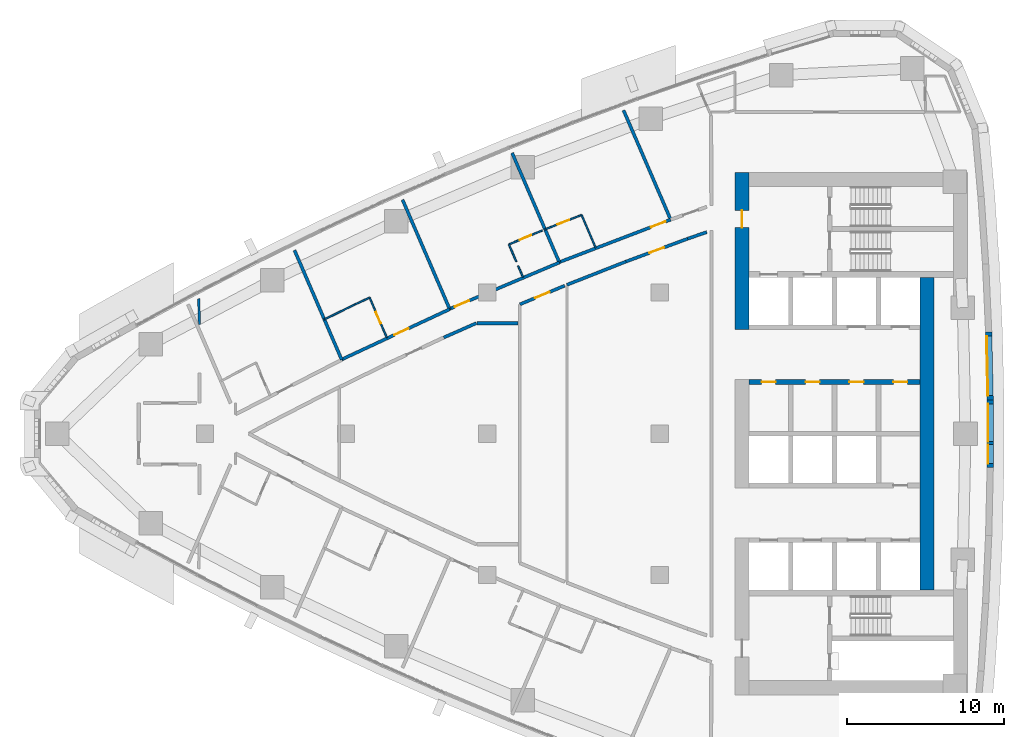
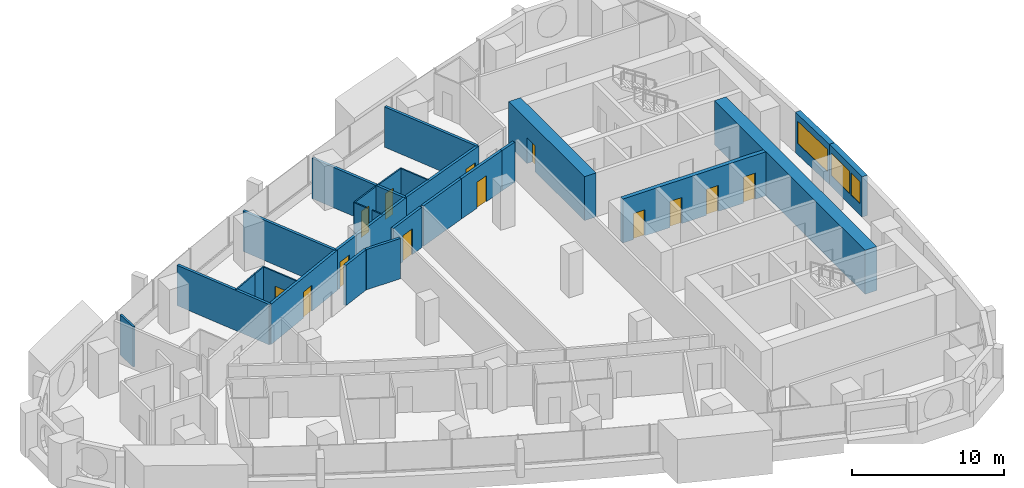
# One storey, part 11 of 17: 27 walls, 13 doors, 3 windows, 16 openings.
"""IFC4 building model written with IfcOpenShell, lengths in metres."""

from ifc_helpers import new_model, si_unit, direction, frame, frame_2d, origin, place, context, subcontext, project, spatial, polyline, rectangle, outline, extrude, material, layer, layer_set, type_object, element, fill, save


model = new_model("IFC4")

# Units and contexts
model_context = context("Model", 3, precision=1e-05, world=origin(), true_north=direction((0.0, 1.0)))
body_context = subcontext(model_context, "Body", "Model", "MODEL_VIEW")
ifc_project = project(units=[si_unit("LENGTHUNIT", "METRE"), si_unit("AREAUNIT", "SQUARE_METRE"), si_unit("VOLUMEUNIT", "CUBIC_METRE"), si_unit("PLANEANGLEUNIT", "RADIAN"), si_unit("MASSUNIT", "GRAM", prefix="KILO")], contexts=[model_context])

# Site, building, storey
site_placement = place(None, origin())
site = spatial("IfcSite", under=ifc_project, at=site_placement, CompositionType="ELEMENT")
building_placement = place(site_placement, origin())
building = spatial("IfcBuilding", under=site, at=building_placement, Name="Ostrand Prow Hotel Tower", CompositionType="ELEMENT")
storey_placement = place(building_placement, frame((0.0, 0.0, 158.60009765625)))
storey = spatial("IfcBuildingStorey", under=building, at=storey_placement, Name="L39", CompositionType="ELEMENT", Elevation=158.60009765625)

# Wall, openings, doors
ifc_material_1 = material(Name="Concrete C70/85", Category="concrete")
ifc_layer_1 = layer(ifc_material_1, 0.300048828125)
ifc_layer_set_1 = layer_set([ifc_layer_1], Name="Concrete C70/85")
wall_type_1 = type_object("IfcWallType", Name="Core wall 300 C70/85", PredefinedType="SHEAR", material=ifc_layer_set_1)
wall_1_placement = place(storey_placement, frame((50.699951171875, 3.300048828125, 0.0), z_axis=(0.0, 0.0, 1.0), x_axis=(1.0, 0.0, 0.0)))
wall_1 = element("IfcWall", 1, at=wall_1_placement, inside=storey, type_object=wall_type_1, Name="Core wall PW-L1-N", PredefinedType="SHEAR", context=body_context, shape_type="SweptSolid", body=[
    extrude(rectangle(XDim=10.900146484375, YDim=0.300048828125, at=frame_2d((5.4501953125, 0.0))), origin(), (0.0, 0.0, 1.0), 3.5498046875),
])
opening_1_placement = place(wall_1_placement, frame((0.800048828125, 0.0, 0.0)))
opening_1 = element("IfcOpeningElement", 2, at=opening_1_placement, cuts=wall_1, Name="Opening FD2", PredefinedType="OPENING", context=body_context, shape_type="SweptSolid", body=[
    extrude(rectangle(XDim=0.89990234375, YDim=2.10009765625, at=frame_2d((0.449951171875, 1.050048828125))), frame((0.0, 0.159912109375, 0.0), z_axis=(0.0, -1.0, 0.0), x_axis=(1.0, 0.0, 0.0)), (0.0, 0.0, 1.0), 0.320068359375),
])
opening_2_placement = place(wall_1_placement, frame((3.60009765625, 0.0, 0.0)))
opening_2 = element("IfcOpeningElement", 3, at=opening_2_placement, cuts=wall_1, Name="Opening FD2", PredefinedType="OPENING", context=body_context, shape_type="SweptSolid", body=[
    extrude(rectangle(XDim=0.89990234375, YDim=2.10009765625, at=frame_2d((0.449951171875, 1.050048828125))), frame((0.0, 0.159912109375, 0.0), z_axis=(0.0, -1.0, 0.0), x_axis=(1.0, 0.0, 0.0)), (0.0, 0.0, 1.0), 0.320068359375),
])
opening_3_placement = place(wall_1_placement, frame((6.39990234375, 0.0, 0.0)))
opening_3 = element("IfcOpeningElement", 4, at=opening_3_placement, cuts=wall_1, Name="Opening FD2", PredefinedType="OPENING", context=body_context, shape_type="SweptSolid", body=[
    extrude(rectangle(XDim=0.89990234375, YDim=2.10009765625, at=frame_2d((0.449951171875, 1.050048828125))), frame((0.0, 0.159912109375, 0.0), z_axis=(0.0, -1.0, 0.0), x_axis=(1.0, 0.0, 0.0)), (0.0, 0.0, 1.0), 0.320068359375),
])
opening_4_placement = place(wall_1_placement, frame((9.199951171875, 0.0, 0.0)))
opening_4 = element("IfcOpeningElement", 5, at=opening_4_placement, cuts=wall_1, Name="Opening FD2", PredefinedType="OPENING", context=body_context, shape_type="SweptSolid", body=[
    extrude(rectangle(XDim=0.89990234375, YDim=2.10009765625, at=frame_2d((0.449951171875, 1.050048828125))), frame((0.0, 0.159912109375, 0.0), z_axis=(0.0, -1.0, 0.0), x_axis=(1.0, 0.0, 0.0)), (0.0, 0.0, 1.0), 0.320068359375),
])
ifc_material_2 = material(Name="Steel fire door", Category="steel")
door_type_1 = type_object("IfcDoorType", Name="Fire door 900 EI120", OperationType="SINGLE_SWING_LEFT", PredefinedType="DOOR", material=ifc_material_2)
door_1_placement = place(opening_1_placement, origin())
door_1 = element("IfcDoor", 6, at=door_1_placement, inside=storey, type_object=door_type_1, Name="DOOR", OperationType="SINGLE_SWING_LEFT", OverallHeight=2.10009765625, OverallWidth=0.89990234375, PredefinedType="DOOR", context=body_context, shape_type="SweptSolid", body=[
    extrude(rectangle(XDim=0.89990234375, YDim=2.10009765625, at=frame_2d((0.449951171875, 1.050048828125))), frame((0.0, 0.02490234375, 0.0), z_axis=(0.0, -1.0, 0.0), x_axis=(1.0, 0.0, 0.0)), (0.0, 0.0, 1.0), 0.050048828125),
])
fill(opening_1, door_1)
door_2_placement = place(opening_2_placement, origin())
door_2 = element("IfcDoor", 7, at=door_2_placement, inside=storey, type_object=door_type_1, Name="DOOR", OperationType="SINGLE_SWING_LEFT", OverallHeight=2.10009765625, OverallWidth=0.89990234375, PredefinedType="DOOR", context=body_context, shape_type="SweptSolid", body=[
    extrude(rectangle(XDim=0.89990234375, YDim=2.10009765625, at=frame_2d((0.449951171875, 1.050048828125))), frame((0.0, 0.02490234375, 0.0), z_axis=(0.0, -1.0, 0.0), x_axis=(1.0, 0.0, 0.0)), (0.0, 0.0, 1.0), 0.050048828125),
])
fill(opening_2, door_2)
door_3_placement = place(opening_3_placement, origin())
door_3 = element("IfcDoor", 8, at=door_3_placement, inside=storey, type_object=door_type_1, Name="DOOR", OperationType="SINGLE_SWING_LEFT", OverallHeight=2.10009765625, OverallWidth=0.89990234375, PredefinedType="DOOR", context=body_context, shape_type="SweptSolid", body=[
    extrude(rectangle(XDim=0.89990234375, YDim=2.10009765625, at=frame_2d((0.449951171875, 1.050048828125))), frame((0.0, 0.02490234375, 0.0), z_axis=(0.0, -1.0, 0.0), x_axis=(1.0, 0.0, 0.0)), (0.0, 0.0, 1.0), 0.050048828125),
])
fill(opening_3, door_3)
door_4_placement = place(opening_4_placement, origin())
door_4 = element("IfcDoor", 9, at=door_4_placement, inside=storey, type_object=door_type_1, Name="DOOR", OperationType="SINGLE_SWING_LEFT", OverallHeight=2.10009765625, OverallWidth=0.89990234375, PredefinedType="DOOR", context=body_context, shape_type="SweptSolid", body=[
    extrude(rectangle(XDim=0.89990234375, YDim=2.10009765625, at=frame_2d((0.449951171875, 1.050048828125))), frame((0.0, 0.02490234375, 0.0), z_axis=(0.0, -1.0, 0.0), x_axis=(1.0, 0.0, 0.0)), (0.0, 0.0, 1.0), 0.050048828125),
])
fill(opening_4, door_4)

# Wall, opening, door
ifc_material_3 = material(Name="Concrete C70/85", Category="concrete")
ifc_layer_2 = layer(ifc_material_3, 0.89990234375)
ifc_layer_set_2 = layer_set([ifc_layer_2], Name="Concrete C70/85")
wall_type_2 = type_object("IfcWallType", Name="Core wall 900 C70/85", PredefinedType="SHEAR", material=ifc_layer_set_2)
wall_2_placement = place(storey_placement, frame((50.25, 6.64990234375, 0.0), z_axis=(0.0, 0.0, 1.0), x_axis=(0.0, 1.0, 0.0)))
wall_2 = element("IfcWall", 10, at=wall_2_placement, inside=storey, type_object=wall_type_2, Name="Core wall CW-W-N", PredefinedType="SHEAR", context=body_context, shape_type="SweptSolid", body=[
    extrude(rectangle(XDim=10.0, YDim=0.89990234375, at=frame_2d((5.0, 0.0))), origin(), (0.0, 0.0, 1.0), 3.5498046875),
])
opening_5_placement = place(wall_2_placement, frame((6.5, 0.0, 0.0)))
opening_5 = element("IfcOpeningElement", 11, at=opening_5_placement, cuts=wall_2, Name="Opening FD1", PredefinedType="OPENING", context=body_context, shape_type="SweptSolid", body=[
    extrude(rectangle(XDim=1.10009765625, YDim=2.10009765625, at=frame_2d((0.550048828125, 1.050048828125))), frame((0.0, 0.4599609375, 0.0), z_axis=(0.0, -1.0, 0.0), x_axis=(1.0, 0.0, 0.0)), (0.0, 0.0, 1.0), 0.919921875),
])
ifc_material_4 = material(Name="Steel fire door", Category="steel")
door_type_2 = type_object("IfcDoorType", Name="Fire door 1100 EI120", OperationType="SINGLE_SWING_RIGHT", PredefinedType="DOOR", material=ifc_material_4)
door_5_placement = place(opening_5_placement, origin())
door_5 = element("IfcDoor", 12, at=door_5_placement, inside=storey, type_object=door_type_2, Name="FIRE DOOR", OperationType="SINGLE_SWING_RIGHT", OverallHeight=2.10009765625, OverallWidth=1.10009765625, PredefinedType="DOOR", context=body_context, shape_type="SweptSolid", body=[
    extrude(rectangle(XDim=1.10009765625, YDim=2.10009765625, at=frame_2d((0.550048828125, 1.050048828125))), frame((0.0, 0.02490234375, 0.0), z_axis=(0.0, -1.0, 0.0), x_axis=(1.0, 0.0, 0.0)), (0.0, 0.0, 1.0), 0.050048828125),
])
fill(opening_5, door_5)

# Walls
wall_3_placement = place(storey_placement, frame((62.050048828125, -9.949951171875, 0.0), z_axis=(0.0, 0.0, 1.0), x_axis=(0.0, 1.0, 0.0)))
element("IfcWall", 13, at=wall_3_placement, inside=storey, type_object=wall_type_2, Name="Core wall CW-E-C", PredefinedType="SHEAR", context=body_context, shape_type="SweptSolid", body=[
    extrude(rectangle(XDim=19.89990234375, YDim=0.89990234375, at=frame_2d((9.949951171875, 0.0))), origin(), (0.0, 0.0, 1.0), 3.5498046875),
])
ifc_material_5 = material(Name="Plasterboard partition")
ifc_layer_3 = layer(ifc_material_5, 0.10009765625)
ifc_layer_set_3 = layer_set([ifc_layer_3], Name="Plasterboard partition")
wall_type_3 = type_object("IfcWallType", Name="Partition 100 bathroom wall", PredefinedType="PARTITIONING", material=ifc_layer_set_3)
wall_4_placement = place(storey_placement, frame((23.6171875, 7.289306640625, 0.0), z_axis=(0.0, 0.0, 1.0), x_axis=(0.898158387811, 0.439672048696, 0.0)))
element("IfcWall", 14, at=wall_4_placement, inside=storey, type_object=wall_type_3, Name="BATHROOM WALL", PredefinedType="PARTITIONING", context=body_context, shape_type="SweptSolid", body=[
    extrude(rectangle(XDim=2.179931640625, YDim=0.10009765625, at=frame_2d((1.08984375, 0.0))), origin(), (0.0, 0.0, 1.0), 3.25),
])
wall_5_placement = place(storey_placement, frame((25.5751953125, 8.247802734375, 0.0), z_axis=(0.0, 0.0, 1.0), x_axis=(0.906901476145, 0.421342749512, 0.0)))
element("IfcWall", 15, at=wall_5_placement, inside=storey, type_object=wall_type_3, Name="BATHROOM WALL", PredefinedType="PARTITIONING", context=body_context, shape_type="SweptSolid", body=[
    extrude(rectangle(XDim=1.022705078125, YDim=0.10009765625, at=frame_2d((0.51123046875, 0.0))), origin(), (0.0, 0.0, 1.0), 3.25),
])

# Wall, opening, door
wall_6_placement = place(storey_placement, frame((26.502685546875, 8.6787109375, 0.0), z_axis=(0.0, 0.0, 1.0), x_axis=(0.396018464604, -0.918242547311, 0.0)))
wall_6 = element("IfcWall", 16, at=wall_6_placement, inside=storey, type_object=wall_type_3, Name="BATHROOM WALL", PredefinedType="PARTITIONING", context=body_context, shape_type="SweptSolid", body=[
    extrude(rectangle(XDim=2.77783203125, YDim=0.10009765625, at=frame_2d((1.388916015625, 0.0))), origin(), (0.0, 0.0, 1.0), 3.25),
])
opening_6_placement = place(wall_6_placement, frame((1.0, 0.0, 0.0)))
opening_6 = element("IfcOpeningElement", 17, at=opening_6_placement, cuts=wall_6, Name="Opening D2", PredefinedType="OPENING", context=body_context, shape_type="SweptSolid", body=[
    extrude(rectangle(XDim=0.800048828125, YDim=2.10009765625, at=frame_2d((0.39990234375, 1.050048828125))), frame((0.0, 0.06005859375, 0.0), z_axis=(0.0, -1.0, 0.0), x_axis=(1.0, 0.0, 0.0)), (0.0, 0.0, 1.0), 0.1201171875),
])
ifc_material_6 = material(Name="Timber door leaf", Category="wood")
door_type_3 = type_object("IfcDoorType", Name="Bathroom door 800", OperationType="SINGLE_SWING_LEFT", PredefinedType="DOOR", material=ifc_material_6)
door_6_placement = place(opening_6_placement, origin())
door_6 = element("IfcDoor", 18, at=door_6_placement, inside=storey, type_object=door_type_3, Name="DOOR", OperationType="SINGLE_SWING_LEFT", OverallHeight=2.10009765625, OverallWidth=0.800048828125, PredefinedType="DOOR", context=body_context, shape_type="SweptSolid", body=[
    extrude(rectangle(XDim=0.800048828125, YDim=2.10009765625, at=frame_2d((0.39990234375, 1.050048828125))), frame((0.0, 0.02490234375, 0.0), z_axis=(0.0, -1.0, 0.0), x_axis=(1.0, 0.0, 0.0)), (0.0, 0.0, 1.0), 0.050048828125),
])
fill(opening_6, door_6)

wall_7_placement = place(storey_placement, frame((35.38427734375, 12.07421875, 0.0), z_axis=(0.0, 0.0, 1.0), x_axis=(0.923014363649, 0.384765492863, 0.0)))
wall_7 = element("IfcWall", 19, at=wall_7_placement, inside=storey, type_object=wall_type_3, Name="BATHROOM WALL", PredefinedType="PARTITIONING", context=body_context, shape_type="SweptSolid", body=[
    extrude(rectangle(XDim=2.3095703125, YDim=0.10009765625, at=frame_2d((1.15478515625, 0.0))), origin(), (0.0, 0.0, 1.0), 3.25),
])
opening_7_placement = place(wall_7_placement, frame((0.75, 0.0, 0.0)))
opening_7 = element("IfcOpeningElement", 20, at=opening_7_placement, cuts=wall_7, Name="Opening D2", PredefinedType="OPENING", context=body_context, shape_type="SweptSolid", body=[
    extrude(rectangle(XDim=0.800048828125, YDim=2.10009765625, at=frame_2d((0.39990234375, 1.050048828125))), frame((0.0, 0.06005859375, 0.0), z_axis=(0.0, -1.0, 0.0), x_axis=(1.0, 0.0, 0.0)), (0.0, 0.0, 1.0), 0.1201171875),
])
door_7_placement = place(opening_7_placement, origin())
door_7 = element("IfcDoor", 21, at=door_7_placement, inside=storey, type_object=door_type_3, Name="DOOR", OperationType="SINGLE_SWING_LEFT", OverallHeight=2.10009765625, OverallWidth=0.800048828125, PredefinedType="DOOR", context=body_context, shape_type="SweptSolid", body=[
    extrude(rectangle(XDim=0.800048828125, YDim=2.10009765625, at=frame_2d((0.39990234375, 1.050048828125))), frame((0.0, 0.02490234375, 0.0), z_axis=(0.0, -1.0, 0.0), x_axis=(1.0, 0.0, 0.0)), (0.0, 0.0, 1.0), 0.050048828125),
])
fill(opening_7, door_7)

# Walls
wall_8_placement = place(storey_placement, frame((36.285888671875, 9.9833984375, 0.0), z_axis=(0.0, 0.0, 1.0), x_axis=(-0.396019167007, 0.918242244379, 0.0)))
element("IfcWall", 22, at=wall_8_placement, inside=storey, type_object=wall_type_3, Name="BATHROOM WALL", PredefinedType="PARTITIONING", context=body_context, shape_type="SweptSolid", body=[
    extrude(rectangle(XDim=0.785400390625, YDim=0.10009765625, at=frame_2d((0.392578125, 0.0))), origin(), (0.0, 0.0, 1.0), 3.25),
])
wall_9_placement = place(storey_placement, frame((35.858642578125, 10.973876953125, 0.0), z_axis=(0.0, 0.0, 1.0), x_axis=(-0.396057430794, 0.918225741043, 0.0)))
element("IfcWall", 23, at=wall_9_placement, inside=storey, type_object=wall_type_3, Name="BATHROOM WALL", PredefinedType="PARTITIONING", context=body_context, shape_type="SweptSolid", body=[
    extrude(rectangle(XDim=1.1982421875, YDim=0.10009765625, at=frame_2d((0.59912109375, 0.0))), origin(), (0.0, 0.0, 1.0), 3.25),
])

# Wall, opening, door
wall_10_placement = place(storey_placement, frame((37.693359375, 13.03271484375, 0.0), z_axis=(0.0, 0.0, 1.0), x_axis=(0.930568677441, 0.366117380856, 0.0)))
wall_10 = element("IfcWall", 24, at=wall_10_placement, inside=storey, type_object=wall_type_3, Name="BATHROOM WALL", PredefinedType="PARTITIONING", context=body_context, shape_type="SweptSolid", body=[
    extrude(rectangle(XDim=2.501220703125, YDim=0.10009765625, at=frame_2d((1.25048828125, 0.0))), origin(), (0.0, 0.0, 1.0), 3.25),
])
opening_8_placement = place(wall_10_placement, frame((0.85009765625, 0.0, 0.0)))
opening_8 = element("IfcOpeningElement", 25, at=opening_8_placement, cuts=wall_10, Name="Opening D2", PredefinedType="OPENING", context=body_context, shape_type="SweptSolid", body=[
    extrude(rectangle(XDim=0.800048828125, YDim=2.10009765625, at=frame_2d((0.39990234375, 1.050048828125))), frame((0.0, 0.06005859375, 0.0), z_axis=(0.0, -1.0, 0.0), x_axis=(1.0, 0.0, 0.0)), (0.0, 0.0, 1.0), 0.1201171875),
])
door_8_placement = place(opening_8_placement, origin())
door_8 = element("IfcDoor", 26, at=door_8_placement, inside=storey, type_object=door_type_3, Name="DOOR", OperationType="SINGLE_SWING_LEFT", OverallHeight=2.10009765625, OverallWidth=0.800048828125, PredefinedType="DOOR", context=body_context, shape_type="SweptSolid", body=[
    extrude(rectangle(XDim=0.800048828125, YDim=2.10009765625, at=frame_2d((0.39990234375, 1.050048828125))), frame((0.0, 0.02490234375, 0.0), z_axis=(0.0, -1.0, 0.0), x_axis=(1.0, 0.0, 0.0)), (0.0, 0.0, 1.0), 0.050048828125),
])
fill(opening_8, door_8)

# Walls
wall_11_placement = place(storey_placement, frame((40.02099609375, 13.948486328125, 0.0), z_axis=(0.0, 0.0, 1.0), x_axis=(0.39596178423, -0.918266990275, 0.0)))
element("IfcWall", 27, at=wall_11_placement, inside=storey, type_object=wall_type_3, Name="BATHROOM WALL", PredefinedType="PARTITIONING", context=body_context, shape_type="SweptSolid", body=[
    extrude(rectangle(XDim=2.2783203125, YDim=0.10009765625, at=frame_2d((1.13916015625, 0.0))), origin(), (0.0, 0.0, 1.0), 3.25),
])
ifc_material_7 = material(Name="Plasterboard partition")
ifc_layer_4 = layer(ifc_material_7, 0.14990234375)
ifc_layer_set_4 = layer_set([ifc_layer_4], Name="Plasterboard partition")
wall_type_4 = type_object("IfcWallType", Name="Partition 150 room partition", PredefinedType="PARTITIONING", material=ifc_layer_set_4)
wall_12_placement = place(storey_placement, frame((15.603759765625, 8.60888671875, 0.0), z_axis=(0.0, 0.0, 1.0), x_axis=(0.033196927484, -0.999448830109, 0.0)))
element("IfcWall", 28, at=wall_12_placement, inside=storey, type_object=wall_type_4, Name="ROOM PARTITION", PredefinedType="PARTITIONING", context=body_context, shape_type="SweptSolid", body=[
    extrude(rectangle(XDim=1.65478515625, YDim=0.14990234375, at=frame_2d((0.827392578125, 0.0))), origin(), (0.0, 0.0, 1.0), 3.25),
])

# Wall, opening, door
ifc_material_8 = material(Name="Plasterboard partition")
ifc_layer_5 = layer(ifc_material_8, 0.199951171875)
ifc_layer_set_5 = layer_set([ifc_layer_5], Name="Plasterboard partition")
wall_type_5 = type_object("IfcWallType", Name="Partition 200 corridor wall", PredefinedType="PARTITIONING", material=ifc_layer_set_5)
wall_13_placement = place(storey_placement, frame((24.71923828125, 4.7333984375, 0.0), z_axis=(0.0, 0.0, 1.0), x_axis=(0.906593711122, 0.422004553238, 0.0)))
wall_13 = element("IfcWall", 29, at=wall_13_placement, inside=storey, type_object=wall_type_5, Name="CORRIDOR WALL", PredefinedType="PARTITIONING", context=body_context, shape_type="SweptSolid", body=[
    extrude(rectangle(XDim=7.60302734375, YDim=0.199951171875, at=frame_2d((3.801513671875, 0.0))), origin(), (0.0, 0.0, 1.0), 3.25),
])
opening_9_placement = place(wall_13_placement, frame((3.699951171875, 0.0, 0.0)))
opening_9 = element("IfcOpeningElement", 30, at=opening_9_placement, cuts=wall_13, Name="Opening D1", PredefinedType="OPENING", context=body_context, shape_type="SweptSolid", body=[
    extrude(rectangle(XDim=1.0, YDim=2.10009765625, at=frame_2d((0.5, 1.050048828125))), frame((0.0, 0.10986328125, 0.0), z_axis=(0.0, -1.0, 0.0), x_axis=(1.0, 0.0, 0.0)), (0.0, 0.0, 1.0), 0.219970703125),
])
ifc_material_9 = material(Name="Timber door leaf", Category="wood")
door_type_4 = type_object("IfcDoorType", Name="Guest room door 1000", OperationType="SINGLE_SWING_LEFT", PredefinedType="DOOR", material=ifc_material_9)
door_9_placement = place(opening_9_placement, origin())
door_9 = element("IfcDoor", 31, at=door_9_placement, inside=storey, type_object=door_type_4, Name="DOOR", OperationType="SINGLE_SWING_LEFT", OverallHeight=2.10009765625, OverallWidth=1.0, PredefinedType="DOOR", context=body_context, shape_type="SweptSolid", body=[
    extrude(rectangle(XDim=1.0, YDim=2.10009765625, at=frame_2d((0.5, 1.050048828125))), frame((0.0, 0.02490234375, 0.0), z_axis=(0.0, -1.0, 0.0), x_axis=(1.0, 0.0, 0.0)), (0.0, 0.0, 1.0), 0.050048828125),
])
fill(opening_9, door_9)

wall_14_placement = place(storey_placement, frame((31.604248046875, 7.960205078125, 0.0), z_axis=(0.0, 0.0, 1.0), x_axis=(0.921069634751, 0.389397904386, 0.0)))
wall_14 = element("IfcWall", 32, at=wall_14_placement, inside=storey, type_object=wall_type_5, Name="CORRIDOR WALL", PredefinedType="PARTITIONING", context=body_context, shape_type="SweptSolid", body=[
    extrude(rectangle(XDim=7.60009765625, YDim=0.199951171875, at=frame_2d((3.800048828125, 0.0))), origin(), (0.0, 0.0, 1.0), 3.25),
])
opening_10_placement = place(wall_14_placement, frame((0.35009765625, 0.0, 0.0)))
opening_10 = element("IfcOpeningElement", 33, at=opening_10_placement, cuts=wall_14, Name="Opening D1", PredefinedType="OPENING", context=body_context, shape_type="SweptSolid", body=[
    extrude(rectangle(XDim=1.0, YDim=2.10009765625, at=frame_2d((0.5, 1.050048828125))), frame((0.0, 0.10986328125, 0.0), z_axis=(0.0, -1.0, 0.0), x_axis=(1.0, 0.0, 0.0)), (0.0, 0.0, 1.0), 0.219970703125),
])
door_10_placement = place(opening_10_placement, origin())
door_10 = element("IfcDoor", 34, at=door_10_placement, inside=storey, type_object=door_type_4, Name="DOOR", OperationType="SINGLE_SWING_LEFT", OverallHeight=2.10009765625, OverallWidth=1.0, PredefinedType="DOOR", context=body_context, shape_type="SweptSolid", body=[
    extrude(rectangle(XDim=1.0, YDim=2.10009765625, at=frame_2d((0.5, 1.050048828125))), frame((0.0, 0.02490234375, 0.0), z_axis=(0.0, -1.0, 0.0), x_axis=(1.0, 0.0, 0.0)), (0.0, 0.0, 1.0), 0.050048828125),
])
fill(opening_10, door_10)

wall_15_placement = place(storey_placement, frame((45.70166015625, 13.655029296875, 0.0), z_axis=(0.0, 0.0, 1.0), x_axis=(-0.934032939798, -0.35718688018, 0.0)))
wall_15 = element("IfcWall", 35, at=wall_15_placement, inside=storey, type_object=wall_type_5, Name="CORRIDOR WALL", PredefinedType="PARTITIONING", context=body_context, shape_type="SweptSolid", body=[
    extrude(rectangle(XDim=7.606689453125, YDim=0.199951171875, at=frame_2d((3.80322265625, 0.0))), origin(), (0.0, 0.0, 1.0), 3.25),
])
opening_11_placement = place(wall_15_placement, frame((0.35009765625, 0.0, 0.0)))
opening_11 = element("IfcOpeningElement", 36, at=opening_11_placement, cuts=wall_15, Name="Opening D1", PredefinedType="OPENING", context=body_context, shape_type="SweptSolid", body=[
    extrude(rectangle(XDim=1.0, YDim=2.10009765625, at=frame_2d((0.5, 1.050048828125))), frame((0.0, 0.10986328125, 0.0), z_axis=(0.0, -1.0, 0.0), x_axis=(1.0, 0.0, 0.0)), (0.0, 0.0, 1.0), 0.219970703125),
])
door_11_placement = place(opening_11_placement, origin())
door_11 = element("IfcDoor", 37, at=door_11_placement, inside=storey, type_object=door_type_4, Name="DOOR", OperationType="SINGLE_SWING_LEFT", OverallHeight=2.10009765625, OverallWidth=1.0, PredefinedType="DOOR", context=body_context, shape_type="SweptSolid", body=[
    extrude(rectangle(XDim=1.0, YDim=2.10009765625, at=frame_2d((0.5, 1.050048828125))), frame((0.0, 0.02490234375, 0.0), z_axis=(0.0, -1.0, 0.0), x_axis=(1.0, 0.0, 0.0)), (0.0, 0.0, 1.0), 0.050048828125),
])
fill(opening_11, door_11)

# Wall
wall_16_placement = place(storey_placement, frame((31.231201171875, 6.135009765625, 0.0), z_axis=(0.0, 0.0, 1.0), x_axis=(0.915102334452, 0.403221672881, 0.0)))
element("IfcWall", 38, at=wall_16_placement, inside=storey, type_object=wall_type_5, Name="CORRIDOR WALL", PredefinedType="PARTITIONING", context=body_context, shape_type="SweptSolid", body=[
    extrude(rectangle(XDim=2.269287109375, YDim=0.199951171875, at=frame_2d((1.134765625, 0.0))), origin(), (0.0, 0.0, 1.0), 3.25),
])

# Wall, opening, door
wall_17_placement = place(storey_placement, frame((36.08740234375, 8.25048828125, 0.0), z_axis=(0.0, 0.0, 1.0), x_axis=(0.923013875818, 0.384766663118, 0.0)))
wall_17 = element("IfcWall", 39, at=wall_17_placement, inside=storey, type_object=wall_type_5, Name="CORRIDOR WALL", PredefinedType="PARTITIONING", context=body_context, shape_type="SweptSolid", body=[
    extrude(rectangle(XDim=3.093994140625, YDim=0.199951171875, at=frame_2d((1.546875, 0.0))), origin(), (0.0, 0.0, 1.0), 3.25),
])
opening_12_placement = place(wall_17_placement, frame((1.046875, 0.0, 0.0)))
opening_12 = element("IfcOpeningElement", 40, at=opening_12_placement, cuts=wall_17, Name="Opening D1R", PredefinedType="OPENING", context=body_context, shape_type="SweptSolid", body=[
    extrude(rectangle(XDim=1.0, YDim=2.10009765625, at=frame_2d((0.5, 1.050048828125))), frame((0.0, 0.10986328125, 0.0), z_axis=(0.0, -1.0, 0.0), x_axis=(1.0, 0.0, 0.0)), (0.0, 0.0, 1.0), 0.219970703125),
])
ifc_material_10 = material(Name="Timber door leaf", Category="wood")
door_type_5 = type_object("IfcDoorType", Name="Guest room door 1000 right", OperationType="SINGLE_SWING_RIGHT", PredefinedType="DOOR", material=ifc_material_10)
door_12_placement = place(opening_12_placement, origin())
door_12 = element("IfcDoor", 41, at=door_12_placement, inside=storey, type_object=door_type_5, Name="DOOR", OperationType="SINGLE_SWING_RIGHT", OverallHeight=2.10009765625, OverallWidth=1.0, PredefinedType="DOOR", context=body_context, shape_type="SweptSolid", body=[
    extrude(rectangle(XDim=1.0, YDim=2.10009765625, at=frame_2d((0.5, 1.050048828125))), frame((0.0, 0.02490234375, 0.0), z_axis=(0.0, -1.0, 0.0), x_axis=(1.0, 0.0, 0.0)), (0.0, 0.0, 1.0), 0.050048828125),
])
fill(opening_12, door_12)

wall_18_placement = place(storey_placement, frame((42.84716796875, 10.976806640625, 0.0), z_axis=(0.0, 0.0, 1.0), x_axis=(0.937732614305, 0.347357948044, 0.0)))
wall_18 = element("IfcWall", 42, at=wall_18_placement, inside=storey, type_object=wall_type_5, Name="CORRIDOR WALL", PredefinedType="PARTITIONING", context=body_context, shape_type="SweptSolid", body=[
    extrude(rectangle(XDim=4.1953125, YDim=0.199951171875, at=frame_2d((2.09765625, 0.0))), origin(), (0.0, 0.0, 1.0), 3.25),
])
opening_13_placement = place(wall_18_placement, frame((1.59765625, 0.0, 0.0)))
opening_13 = element("IfcOpeningElement", 43, at=opening_13_placement, cuts=wall_18, Name="Opening D1", PredefinedType="OPENING", context=body_context, shape_type="SweptSolid", body=[
    extrude(rectangle(XDim=1.0, YDim=2.10009765625, at=frame_2d((0.5, 1.050048828125))), frame((0.0, 0.10986328125, 0.0), z_axis=(0.0, -1.0, 0.0), x_axis=(1.0, 0.0, 0.0)), (0.0, 0.0, 1.0), 0.219970703125),
])
door_13_placement = place(opening_13_placement, origin())
door_13 = element("IfcDoor", 44, at=door_13_placement, inside=storey, type_object=door_type_4, Name="DOOR", OperationType="SINGLE_SWING_LEFT", OverallHeight=2.10009765625, OverallWidth=1.0, PredefinedType="DOOR", context=body_context, shape_type="SweptSolid", body=[
    extrude(rectangle(XDim=1.0, YDim=2.10009765625, at=frame_2d((0.5, 1.050048828125))), frame((0.0, 0.02490234375, 0.0), z_axis=(0.0, -1.0, 0.0), x_axis=(1.0, 0.0, 0.0)), (0.0, 0.0, 1.0), 0.050048828125),
])
fill(opening_13, door_13)

# Walls
wall_19_placement = place(storey_placement, frame((39.08740234375, 9.497802734375, 0.0), z_axis=(0.0, 0.0, 1.0), x_axis=(0.930586875578, 0.366071122873, 0.0)))
element("IfcWall", 45, at=wall_19_placement, inside=storey, type_object=wall_type_5, Name="CORRIDOR WALL", PredefinedType="PARTITIONING", context=body_context, shape_type="SweptSolid", body=[
    extrude(rectangle(XDim=4.040283203125, YDim=0.199951171875, at=frame_2d((2.02001953125, 0.0))), origin(), (0.0, 0.0, 1.0), 3.25),
])
wall_20_placement = place(storey_placement, frame((46.78125, 12.43408203125, 0.0), z_axis=(0.0, 0.0, 1.0), x_axis=(0.944517215109, 0.328461916152, 0.0)))
element("IfcWall", 46, at=wall_20_placement, inside=storey, type_object=wall_type_5, Name="CORRIDOR WALL", PredefinedType="PARTITIONING", context=body_context, shape_type="SweptSolid", body=[
    extrude(rectangle(XDim=1.290283203125, YDim=0.199951171875, at=frame_2d((0.64501953125, 0.0))), origin(), (0.0, 0.0, 1.0), 3.25),
])
wall_21_placement = place(storey_placement, frame((33.347412109375, 7.044921875, 0.0), z_axis=(0.0, 0.0, 1.0), x_axis=(0.999999982426, 0.000187476562, 0.0)))
element("IfcWall", 47, at=wall_21_placement, inside=storey, type_object=wall_type_5, Name="CORRIDOR WALL", PredefinedType="PARTITIONING", context=body_context, shape_type="SweptSolid", body=[
    extrude(rectangle(XDim=2.6044921875, YDim=0.199951171875, at=frame_2d((1.30224609375, 0.0))), origin(), (0.0, 0.0, 1.0), 3.25),
])
ifc_material_11 = material(Name="Plasterboard partition")
ifc_layer_6 = layer(ifc_material_11, 0.199951171875)
ifc_layer_set_6 = layer_set([ifc_layer_6], Name="Plasterboard partition")
wall_type_6 = type_object("IfcWallType", Name="Partition 200 key partition", PredefinedType="PARTITIONING", material=ifc_layer_set_6)
wall_22_placement = place(storey_placement, frame((24.72705078125, 4.715087890625, 0.0), z_axis=(0.0, 0.0, 1.0), x_axis=(-0.395982367396, 0.918258114427, 0.0)))
element("IfcWall", 48, at=wall_22_placement, inside=storey, type_object=wall_type_6, Name="KEY PARTITION", PredefinedType="PARTITIONING", context=body_context, shape_type="SweptSolid", body=[
    extrude(rectangle(XDim=7.60888671875, YDim=0.199951171875, at=frame_2d((3.804443359375, 0.0))), origin(), (0.0, 0.0, 1.0), 3.25),
])
wall_23_placement = place(storey_placement, frame((31.612060546875, 7.94189453125, 0.0), z_axis=(0.0, 0.0, 1.0), x_axis=(-0.395976934703, 0.91826045716, 0.0)))
element("IfcWall", 49, at=wall_23_placement, inside=storey, type_object=wall_type_6, Name="KEY PARTITION", PredefinedType="PARTITIONING", context=body_context, shape_type="SweptSolid", body=[
    extrude(rectangle(XDim=7.600341796875, YDim=0.199951171875, at=frame_2d((3.80029296875, 0.0))), origin(), (0.0, 0.0, 1.0), 3.25),
])
wall_24_placement = place(storey_placement, frame((38.6044921875, 10.919677734375, 0.0), z_axis=(0.0, 0.0, 1.0), x_axis=(-0.395975928923, 0.918260890877, 0.0)))
element("IfcWall", 50, at=wall_24_placement, inside=storey, type_object=wall_type_6, Name="KEY PARTITION", PredefinedType="PARTITIONING", context=body_context, shape_type="SweptSolid", body=[
    extrude(rectangle(XDim=7.60400390625, YDim=0.199951171875, at=frame_2d((3.802001953125, 0.0))), origin(), (0.0, 0.0, 1.0), 3.25),
])
wall_25_placement = place(storey_placement, frame((45.70947265625, 13.63671875, 0.0), z_axis=(0.0, 0.0, 1.0), x_axis=(-0.395993528256, 0.918253301426, 0.0)))
element("IfcWall", 51, at=wall_25_placement, inside=storey, type_object=wall_type_6, Name="KEY PARTITION", PredefinedType="PARTITIONING", context=body_context, shape_type="SweptSolid", body=[
    extrude(rectangle(XDim=7.6103515625, YDim=0.199951171875, at=frame_2d((3.80517578125, 0.0))), origin(), (0.0, 0.0, 1.0), 3.25),
])

# Wall, openings, windows
ifc_material_12 = material(Name="Precast concrete C40/50", Category="concrete")
ifc_layer_7 = layer(ifc_material_12, 0.39990234375)
ifc_layer_set_7 = layer_set([ifc_layer_7], Name="Precast concrete C40/50")
wall_type_7 = type_object("IfcWallType", Name="Stone-faced precast wall 400 mm", PredefinedType="NOTDEFINED", material=ifc_layer_set_7)
wall_26_placement = place(storey_placement, frame((66.07568359375, -2.16455078125, 0.0), z_axis=(0.0, 0.0, 1.0), x_axis=(0.0, 1.0, 0.0)))
wall_26 = element("IfcWall", 52, at=wall_26_placement, inside=storey, type_object=wall_type_7, Name="Stone-faced wall back 9", PredefinedType="NOTDEFINED", context=body_context, shape_type="SweptSolid", body=[
    extrude(outline(polyline([(-0.002197265625, -0.199951171875), (4.331298828125, -0.199951171875), (4.326904296875, 0.199951171875), (0.002197265625, 0.199951171875), (-0.002197265625, -0.199951171875)])), origin(), (0.0, 0.0, 1.0), 3.25),
])
opening_14_placement = place(wall_26_placement, frame((0.264404296875, 0.0, 0.89990234375)))
opening_14 = element("IfcOpeningElement", 53, at=opening_14_placement, cuts=wall_26, Name="Opening WS4", PredefinedType="OPENING", context=body_context, shape_type="SweptSolid", body=[
    extrude(rectangle(XDim=1.199951171875, YDim=1.800048828125, at=frame_2d((0.60009765625, 0.89990234375))), frame((0.0, 0.2099609375, 0.0), z_axis=(0.0, -1.0, 0.0), x_axis=(1.0, 0.0, 0.0)), (0.0, 0.0, 1.0), 0.419921875),
])
opening_15_placement = place(wall_26_placement, frame((1.66455078125, 0.0, 0.89990234375)))
opening_15 = element("IfcOpeningElement", 54, at=opening_15_placement, cuts=wall_26, Name="Opening WS5-24", PredefinedType="OPENING", context=body_context, shape_type="SweptSolid", body=[
    extrude(rectangle(XDim=2.39990234375, YDim=1.800048828125, at=frame_2d((1.199951171875, 0.89990234375))), frame((0.0, 0.2099609375, 0.0), z_axis=(0.0, -1.0, 0.0), x_axis=(1.0, 0.0, 0.0)), (0.0, 0.0, 1.0), 0.419921875),
])
ifc_material_13 = material(Name="Insulated glass in bronze frame", Category="glass")
window_type_1 = type_object("IfcWindowType", Name="Fixed strip window 2400x1800", PartitioningType="SINGLE_PANEL", PredefinedType="WINDOW", material=ifc_material_13)
window_1_placement = place(opening_15_placement, origin())
window_1 = element("IfcWindow", 55, at=window_1_placement, inside=storey, type_object=window_type_1, Name="Window back 9.2", OverallHeight=1.800048828125, OverallWidth=2.39990234375, PartitioningType="SINGLE_PANEL", PredefinedType="WINDOW", context=body_context, shape_type="SweptSolid", body=[
    extrude(rectangle(XDim=2.39990234375, YDim=1.800048828125, at=frame_2d((1.199951171875, 0.89990234375))), frame((0.0, 0.169921875, 0.0), z_axis=(0.0, -1.0, 0.0), x_axis=(1.0, 0.0, 0.0)), (0.0, 0.0, 1.0), 0.06005859375),
])
fill(opening_15, window_1)
ifc_material_14 = material(Name="Insulated glass in bronze frame", Category="glass")
window_type_2 = type_object("IfcWindowType", Name="Operable strip panel 1200x1800", PartitioningType="SINGLE_PANEL", PredefinedType="WINDOW", material=ifc_material_14)
window_2_placement = place(opening_14_placement, origin())
window_2 = element("IfcWindow", 56, at=window_2_placement, inside=storey, type_object=window_type_2, Name="Window back 9.1", OverallHeight=1.800048828125, OverallWidth=1.199951171875, PartitioningType="SINGLE_PANEL", PredefinedType="WINDOW", context=body_context, shape_type="SweptSolid", body=[
    extrude(rectangle(XDim=1.199951171875, YDim=1.800048828125, at=frame_2d((0.60009765625, 0.89990234375))), frame((0.0, 0.169921875, 0.0), z_axis=(0.0, -1.0, 0.0), x_axis=(1.0, 0.0, 0.0)), (0.0, 0.0, 1.0), 0.06005859375),
])
fill(opening_14, window_2)

# Wall, opening, window
wall_27_placement = place(storey_placement, frame((66.07568359375, 2.16455078125, 0.0), z_axis=(0.0, 0.0, 1.0), x_axis=(-0.02261635063, 0.99974421763, 0.0)))
wall_27 = element("IfcWall", 57, at=wall_27_placement, inside=storey, type_object=wall_type_7, Name="Stone-faced wall back 10", PredefinedType="NOTDEFINED", context=body_context, shape_type="SweptSolid", body=[
    extrude(outline(polyline([(-0.002197265625, -0.199951171875), (4.3310546875, -0.199951171875), (4.32666015625, 0.199951171875), (0.002197265625, 0.199951171875), (-0.002197265625, -0.199951171875)])), origin(), (0.0, 0.0, 1.0), 3.25),
])
opening_16_placement = place(wall_27_placement, frame((0.264404296875, 0.0, 0.89990234375)))
opening_16 = element("IfcOpeningElement", 58, at=opening_16_placement, cuts=wall_27, Name="Opening WS3-38", PredefinedType="OPENING", context=body_context, shape_type="SweptSolid", body=[
    extrude(rectangle(XDim=3.800048828125, YDim=1.800048828125, at=frame_2d((1.89990234375, 0.89990234375))), frame((0.0, 0.2099609375, 0.0), z_axis=(0.0, -1.0, 0.0), x_axis=(1.0, 0.0, 0.0)), (0.0, 0.0, 1.0), 0.419921875),
])
ifc_material_15 = material(Name="Insulated glass in bronze frame", Category="glass")
window_type_3 = type_object("IfcWindowType", Name="Strip window 3800x1800", PartitioningType="SINGLE_PANEL", PredefinedType="WINDOW", material=ifc_material_15)
window_3_placement = place(opening_16_placement, origin())
window_3 = element("IfcWindow", 59, at=window_3_placement, inside=storey, type_object=window_type_3, Name="Window back 10.1", OverallHeight=1.800048828125, OverallWidth=3.800048828125, PartitioningType="SINGLE_PANEL", PredefinedType="WINDOW", context=body_context, shape_type="SweptSolid", body=[
    extrude(rectangle(XDim=3.800048828125, YDim=1.800048828125, at=frame_2d((1.89990234375, 0.89990234375))), frame((0.0, 0.169921875, 0.0), z_axis=(0.0, -1.0, 0.0), x_axis=(1.0, 0.0, 0.0)), (0.0, 0.0, 1.0), 0.06005859375),
])
fill(opening_16, window_3)

save(model, "model.ifc")
